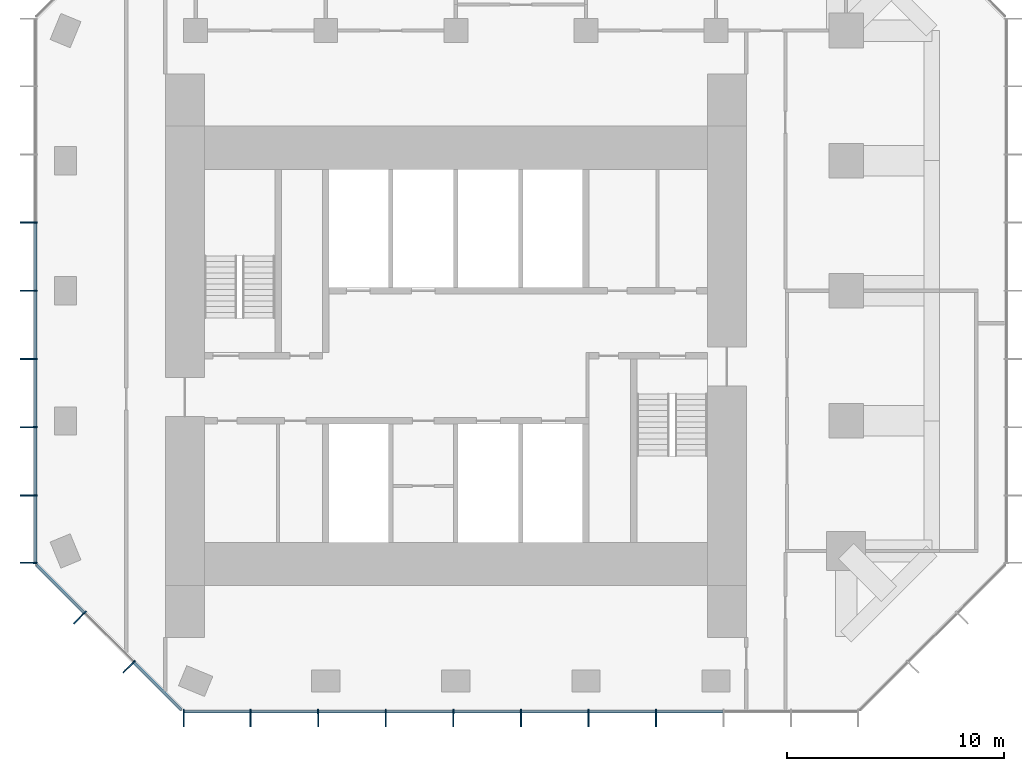
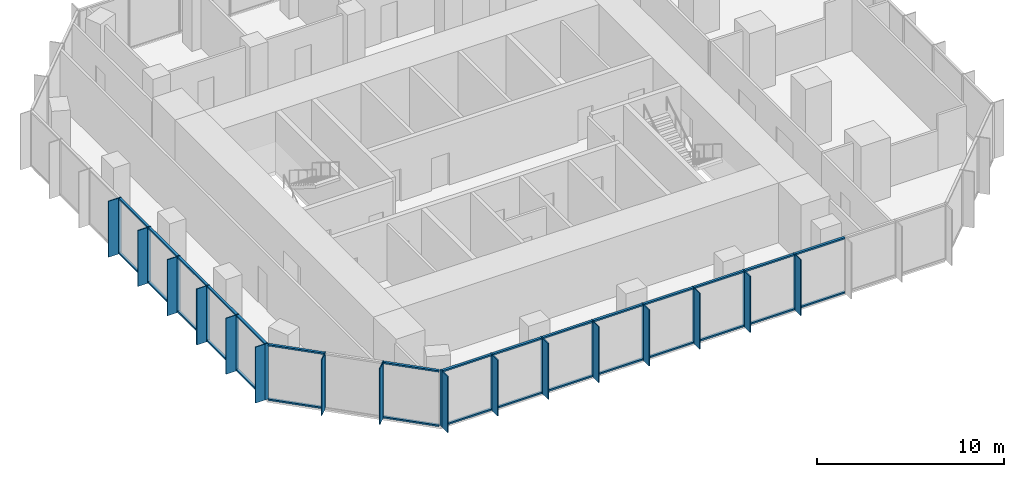
# One storey, part 2 of 10: 62 members, 3 elements without a shape of their own.
"""IFC4 building model written with IfcOpenShell, lengths in metres."""

from ifc_helpers import new_model, si_unit, direction, frame, origin, origin_2d, place, context, subcontext, project, spatial, rectangle, extrude, material, layer, layer_set, material_profile, profile_set, type_object, element, aggregate, save


model = new_model("IFC4")

# Units and contexts
model_context = context("Model", 3, precision=1e-05, world=origin(), true_north=direction((0.0, 1.0)))
body_context = subcontext(model_context, "Body", "Model", "MODEL_VIEW")
ifc_project = project(units=[si_unit("LENGTHUNIT", "METRE"), si_unit("AREAUNIT", "SQUARE_METRE"), si_unit("VOLUMEUNIT", "CUBIC_METRE"), si_unit("PLANEANGLEUNIT", "RADIAN"), si_unit("MASSUNIT", "GRAM", prefix="KILO")], contexts=[model_context])

# Site, building, storey
site_placement = place(None, origin())
site = spatial("IfcSite", under=ifc_project, at=site_placement, CompositionType="ELEMENT")
building_placement = place(site_placement, origin())
building = spatial("IfcBuilding", under=site, at=building_placement, Name="Highveld Stack Headquarters", CompositionType="ELEMENT")
storey_placement = place(building_placement, frame((0.0, 0.0, 245.0)))
storey = spatial("IfcBuildingStorey", under=building, at=storey_placement, Name="L60", CompositionType="ELEMENT", Elevation=245.0)

# Curtain wall, members
ifc_material_1 = material(Name="Aluminium bronze anodised", Category="aluminium")
ifc_layer = layer(ifc_material_1, 0.199951171875)
ifc_layer_set = layer_set([ifc_layer], Name="Aluminium bronze anodised")
curtain_wall_type = type_object("IfcCurtainWallType", Name="CW6 SKY LOBBY UNITISED CURTAIN WALL", PredefinedType="NOTDEFINED", material=ifc_layer_set)
curtain_wall_1_placement = place(storey_placement, origin())
curtain_wall_1 = element("IfcCurtainWall", 1, at=curtain_wall_1_placement, inside=storey, type_object=curtain_wall_type, Name="Curtain wall CW6 L60 S", PredefinedType="NOTDEFINED")
ifc_material_2 = material(Name="Aluminium bronze anodised", Category="aluminium")
ifc_material_profile_1 = material_profile(ifc_material_2, rectangle(XDim=0.60009765625, YDim=0.06005859375, at=origin_2d()), Name="FIN 600x60")
ifc_profile_set_1 = profile_set([ifc_material_profile_1], Name="Aluminium bronze anodised")
member_type_1 = type_object("IfcMemberType", Name="CW6 BRONZE FIN 600x60", PredefinedType="USERDEFINED", material=ifc_profile_set_1)
member_1_placement = place(storey_placement, frame((-6.54736328125, -13.800048828125, 0.0), z_axis=(0.0, 0.0, 1.0), x_axis=(0.0, 1.0, 0.0)))
member_1 = element("IfcMember", 2, at=member_1_placement, type_object=member_type_1, Name="CW6 fin L60 1", ObjectType="FIN", PredefinedType="USERDEFINED", context=body_context, shape_type="SweptSolid", body=[
    extrude(rectangle(XDim=0.60009765625, YDim=0.06005859375, at=origin_2d()), origin(), (0.0, 0.0, 1.0), 3.64990234375),
])
member_2_placement = place(storey_placement, frame((-3.4638671875, -13.800048828125, 0.0), z_axis=(0.0, 0.0, 1.0), x_axis=(0.0, 1.0, 0.0)))
member_2 = element("IfcMember", 3, at=member_2_placement, type_object=member_type_1, Name="CW6 fin L60 2", ObjectType="FIN", PredefinedType="USERDEFINED", context=body_context, shape_type="SweptSolid", body=[
    extrude(rectangle(XDim=0.60009765625, YDim=0.06005859375, at=origin_2d()), origin(), (0.0, 0.0, 1.0), 3.64990234375),
])
member_3_placement = place(storey_placement, frame((-0.347900390625, -13.800048828125, 0.0), z_axis=(0.0, 0.0, 1.0), x_axis=(0.0, 1.0, 0.0)))
member_3 = element("IfcMember", 4, at=member_3_placement, type_object=member_type_1, Name="CW6 fin L60 3", ObjectType="FIN", PredefinedType="USERDEFINED", context=body_context, shape_type="SweptSolid", body=[
    extrude(rectangle(XDim=0.60009765625, YDim=0.06005859375, at=origin_2d()), origin(), (0.0, 0.0, 1.0), 3.64990234375),
])
member_4_placement = place(storey_placement, frame((2.76806640625, -13.800048828125, 0.0), z_axis=(0.0, 0.0, 1.0), x_axis=(0.0, 1.0, 0.0)))
member_4 = element("IfcMember", 5, at=member_4_placement, type_object=member_type_1, Name="CW6 fin L60 4", ObjectType="FIN", PredefinedType="USERDEFINED", context=body_context, shape_type="SweptSolid", body=[
    extrude(rectangle(XDim=0.60009765625, YDim=0.06005859375, at=origin_2d()), origin(), (0.0, 0.0, 1.0), 3.64990234375),
])
member_5_placement = place(storey_placement, frame((5.884033203125, -13.800048828125, 0.0), z_axis=(0.0, 0.0, 1.0), x_axis=(0.0, 1.0, 0.0)))
member_5 = element("IfcMember", 6, at=member_5_placement, type_object=member_type_1, Name="CW6 fin L60 5", ObjectType="FIN", PredefinedType="USERDEFINED", context=body_context, shape_type="SweptSolid", body=[
    extrude(rectangle(XDim=0.60009765625, YDim=0.06005859375, at=origin_2d()), origin(), (0.0, 0.0, 1.0), 3.64990234375),
])
member_6_placement = place(storey_placement, frame((9.0, -13.800048828125, 0.0), z_axis=(0.0, 0.0, 1.0), x_axis=(0.0, 1.0, 0.0)))
member_6 = element("IfcMember", 7, at=member_6_placement, type_object=member_type_1, Name="CW6 fin L60 6", ObjectType="FIN", PredefinedType="USERDEFINED", context=body_context, shape_type="SweptSolid", body=[
    extrude(rectangle(XDim=0.60009765625, YDim=0.06005859375, at=origin_2d()), origin(), (0.0, 0.0, 1.0), 3.64990234375),
])
member_7_placement = place(storey_placement, frame((12.115966796875, -13.800048828125, 0.0), z_axis=(0.0, 0.0, 1.0), x_axis=(0.0, 1.0, 0.0)))
member_7 = element("IfcMember", 8, at=member_7_placement, type_object=member_type_1, Name="CW6 fin L60 7", ObjectType="FIN", PredefinedType="USERDEFINED", context=body_context, shape_type="SweptSolid", body=[
    extrude(rectangle(XDim=0.60009765625, YDim=0.06005859375, at=origin_2d()), origin(), (0.0, 0.0, 1.0), 3.64990234375),
])
member_8_placement = place(storey_placement, frame((15.23193359375, -13.800048828125, 0.0), z_axis=(0.0, 0.0, 1.0), x_axis=(0.0, 1.0, 0.0)))
member_8 = element("IfcMember", 9, at=member_8_placement, type_object=member_type_1, Name="CW6 fin L60 8", ObjectType="FIN", PredefinedType="USERDEFINED", context=body_context, shape_type="SweptSolid", body=[
    extrude(rectangle(XDim=0.60009765625, YDim=0.06005859375, at=origin_2d()), origin(), (0.0, 0.0, 1.0), 3.64990234375),
])

curtain_wall_2_placement = place(storey_placement, origin())
curtain_wall_2 = element("IfcCurtainWall", 10, at=curtain_wall_2_placement, inside=storey, type_object=curtain_wall_type, Name="Curtain wall CW6 L60 W", PredefinedType="NOTDEFINED")
member_9_placement = place(storey_placement, frame((-13.800048828125, 9.14501953125, 0.0), z_axis=(0.0, 0.0, 1.0), x_axis=(1.0, 0.0, 0.0)))
member_9 = element("IfcMember", 11, at=member_9_placement, type_object=member_type_1, Name="CW6 fin L60 4", ObjectType="FIN", PredefinedType="USERDEFINED", context=body_context, shape_type="SweptSolid", body=[
    extrude(rectangle(XDim=0.60009765625, YDim=0.06005859375, at=origin_2d()), origin(), (0.0, 0.0, 1.0), 3.64990234375),
])
member_10_placement = place(storey_placement, frame((-13.800048828125, 6.0, 0.0), z_axis=(0.0, 0.0, 1.0), x_axis=(1.0, 0.0, 0.0)))
member_10 = element("IfcMember", 12, at=member_10_placement, type_object=member_type_1, Name="CW6 fin L60 5", ObjectType="FIN", PredefinedType="USERDEFINED", context=body_context, shape_type="SweptSolid", body=[
    extrude(rectangle(XDim=0.60009765625, YDim=0.06005859375, at=origin_2d()), origin(), (0.0, 0.0, 1.0), 3.64990234375),
])
member_11_placement = place(storey_placement, frame((-13.800048828125, 2.85498046875, 0.0), z_axis=(0.0, 0.0, 1.0), x_axis=(1.0, 0.0, 0.0)))
member_11 = element("IfcMember", 13, at=member_11_placement, type_object=member_type_1, Name="CW6 fin L60 6", ObjectType="FIN", PredefinedType="USERDEFINED", context=body_context, shape_type="SweptSolid", body=[
    extrude(rectangle(XDim=0.60009765625, YDim=0.06005859375, at=origin_2d()), origin(), (0.0, 0.0, 1.0), 3.64990234375),
])
member_12_placement = place(storey_placement, frame((-13.800048828125, -0.2900390625, 0.0), z_axis=(0.0, 0.0, 1.0), x_axis=(1.0, 0.0, 0.0)))
member_12 = element("IfcMember", 14, at=member_12_placement, type_object=member_type_1, Name="CW6 fin L60 7", ObjectType="FIN", PredefinedType="USERDEFINED", context=body_context, shape_type="SweptSolid", body=[
    extrude(rectangle(XDim=0.60009765625, YDim=0.06005859375, at=origin_2d()), origin(), (0.0, 0.0, 1.0), 3.64990234375),
])
member_13_placement = place(storey_placement, frame((-13.800048828125, -3.434814453125, 0.0), z_axis=(0.0, 0.0, 1.0), x_axis=(1.0, 0.0, 0.0)))
member_13 = element("IfcMember", 15, at=member_13_placement, type_object=member_type_1, Name="CW6 fin L60 8", ObjectType="FIN", PredefinedType="USERDEFINED", context=body_context, shape_type="SweptSolid", body=[
    extrude(rectangle(XDim=0.60009765625, YDim=0.06005859375, at=origin_2d()), origin(), (0.0, 0.0, 1.0), 3.64990234375),
])
member_14_placement = place(storey_placement, frame((-13.800048828125, -6.54736328125, 0.0), z_axis=(0.0, 0.0, 1.0), x_axis=(1.0, 0.0, 0.0)))
member_14 = element("IfcMember", 16, at=member_14_placement, type_object=member_type_1, Name="CW6 fin L60 9", ObjectType="FIN", PredefinedType="USERDEFINED", context=body_context, shape_type="SweptSolid", body=[
    extrude(rectangle(XDim=0.60009765625, YDim=0.06005859375, at=origin_2d()), origin(), (0.0, 0.0, 1.0), 3.64990234375),
])

curtain_wall_3_placement = place(storey_placement, origin())
curtain_wall_3 = element("IfcCurtainWall", 17, at=curtain_wall_3_placement, inside=storey, type_object=curtain_wall_type, Name="Curtain wall CW6 L60 SW", PredefinedType="NOTDEFINED")
member_15_placement = place(storey_placement, frame((-11.409423828125, -9.135986328125, 0.0), z_axis=(0.0, 0.0, 1.0), x_axis=(0.707106781187, 0.707106781187, 0.0)))
member_15 = element("IfcMember", 18, at=member_15_placement, type_object=member_type_1, Name="CW6 fin L60 1", ObjectType="FIN", PredefinedType="USERDEFINED", context=body_context, shape_type="SweptSolid", body=[
    extrude(rectangle(XDim=0.60009765625, YDim=0.06005859375, at=origin_2d()), origin(), (0.0, 0.0, 1.0), 3.64990234375),
])
member_16_placement = place(storey_placement, frame((-9.135986328125, -11.409423828125, 0.0), z_axis=(0.0, 0.0, 1.0), x_axis=(0.707106781187, 0.707106781187, 0.0)))
member_16 = element("IfcMember", 19, at=member_16_placement, type_object=member_type_1, Name="CW6 fin L60 2", ObjectType="FIN", PredefinedType="USERDEFINED", context=body_context, shape_type="SweptSolid", body=[
    extrude(rectangle(XDim=0.60009765625, YDim=0.06005859375, at=origin_2d()), origin(), (0.0, 0.0, 1.0), 3.64990234375),
])

# Member
ifc_material_3 = material(Name="Aluminium bronze anodised", Category="aluminium")
ifc_material_profile_2 = material_profile(ifc_material_3, rectangle(XDim=0.199951171875, YDim=0.06494140625, at=origin_2d()), Name="CW6 MULLION 65x200")
ifc_profile_set_2 = profile_set([ifc_material_profile_2], Name="Aluminium bronze anodised")
member_type_2 = type_object("IfcMemberType", Name="CW6 MULLION 65x200", PredefinedType="MULLION", material=ifc_profile_set_2)
member_17_placement = place(storey_placement, frame((-6.54736328125, -13.39990234375, 0.0), z_axis=(0.0, 0.0, 1.0), x_axis=(0.0, 1.0, 0.0)))
member_17 = element("IfcMember", 20, at=member_17_placement, type_object=member_type_2, Name="CW6 mullion L60 1", PredefinedType="MULLION", context=body_context, shape_type="SweptSolid", body=[
    extrude(rectangle(XDim=0.199951171875, YDim=0.06494140625, at=origin_2d()), origin(), (0.0, 0.0, 1.0), 3.64990234375),
])

member_18_placement = place(storey_placement, frame((-3.4638671875, -13.39990234375, 0.0), z_axis=(0.0, 0.0, 1.0), x_axis=(0.0, 1.0, 0.0)))
member_18 = element("IfcMember", 21, at=member_18_placement, type_object=member_type_2, Name="CW6 mullion L60 2", PredefinedType="MULLION", context=body_context, shape_type="SweptSolid", body=[
    extrude(rectangle(XDim=0.199951171875, YDim=0.06494140625, at=origin_2d()), origin(), (0.0, 0.0, 1.0), 3.64990234375),
])

member_19_placement = place(storey_placement, frame((-0.347900390625, -13.39990234375, 0.0), z_axis=(0.0, 0.0, 1.0), x_axis=(0.0, 1.0, 0.0)))
member_19 = element("IfcMember", 22, at=member_19_placement, type_object=member_type_2, Name="CW6 mullion L60 3", PredefinedType="MULLION", context=body_context, shape_type="SweptSolid", body=[
    extrude(rectangle(XDim=0.199951171875, YDim=0.06494140625, at=origin_2d()), origin(), (0.0, 0.0, 1.0), 3.64990234375),
])

member_20_placement = place(storey_placement, frame((2.76806640625, -13.39990234375, 0.0), z_axis=(0.0, 0.0, 1.0), x_axis=(0.0, 1.0, 0.0)))
member_20 = element("IfcMember", 23, at=member_20_placement, type_object=member_type_2, Name="CW6 mullion L60 4", PredefinedType="MULLION", context=body_context, shape_type="SweptSolid", body=[
    extrude(rectangle(XDim=0.199951171875, YDim=0.06494140625, at=origin_2d()), origin(), (0.0, 0.0, 1.0), 3.64990234375),
])

member_21_placement = place(storey_placement, frame((5.884033203125, -13.39990234375, 0.0), z_axis=(0.0, 0.0, 1.0), x_axis=(0.0, 1.0, 0.0)))
member_21 = element("IfcMember", 24, at=member_21_placement, type_object=member_type_2, Name="CW6 mullion L60 5", PredefinedType="MULLION", context=body_context, shape_type="SweptSolid", body=[
    extrude(rectangle(XDim=0.199951171875, YDim=0.06494140625, at=origin_2d()), origin(), (0.0, 0.0, 1.0), 3.64990234375),
])

member_22_placement = place(storey_placement, frame((9.0, -13.39990234375, 0.0), z_axis=(0.0, 0.0, 1.0), x_axis=(0.0, 1.0, 0.0)))
member_22 = element("IfcMember", 25, at=member_22_placement, type_object=member_type_2, Name="CW6 mullion L60 6", PredefinedType="MULLION", context=body_context, shape_type="SweptSolid", body=[
    extrude(rectangle(XDim=0.199951171875, YDim=0.06494140625, at=origin_2d()), origin(), (0.0, 0.0, 1.0), 3.64990234375),
])

member_23_placement = place(storey_placement, frame((12.115966796875, -13.39990234375, 0.0), z_axis=(0.0, 0.0, 1.0), x_axis=(0.0, 1.0, 0.0)))
member_23 = element("IfcMember", 26, at=member_23_placement, type_object=member_type_2, Name="CW6 mullion L60 7", PredefinedType="MULLION", context=body_context, shape_type="SweptSolid", body=[
    extrude(rectangle(XDim=0.199951171875, YDim=0.06494140625, at=origin_2d()), origin(), (0.0, 0.0, 1.0), 3.64990234375),
])

member_24_placement = place(storey_placement, frame((15.23193359375, -13.39990234375, 0.0), z_axis=(0.0, 0.0, 1.0), x_axis=(0.0, 1.0, 0.0)))
member_24 = element("IfcMember", 27, at=member_24_placement, type_object=member_type_2, Name="CW6 mullion L60 8", PredefinedType="MULLION", context=body_context, shape_type="SweptSolid", body=[
    extrude(rectangle(XDim=0.199951171875, YDim=0.06494140625, at=origin_2d()), origin(), (0.0, 0.0, 1.0), 3.64990234375),
])

member_25_placement = place(storey_placement, frame((-13.39990234375, 9.14501953125, 0.0), z_axis=(0.0, 0.0, 1.0), x_axis=(1.0, 0.0, 0.0)))
member_25 = element("IfcMember", 28, at=member_25_placement, type_object=member_type_2, Name="CW6 mullion L60 4", PredefinedType="MULLION", context=body_context, shape_type="SweptSolid", body=[
    extrude(rectangle(XDim=0.199951171875, YDim=0.06494140625, at=origin_2d()), origin(), (0.0, 0.0, 1.0), 3.64990234375),
])

member_26_placement = place(storey_placement, frame((-13.39990234375, 6.0, 0.0), z_axis=(0.0, 0.0, 1.0), x_axis=(1.0, 0.0, 0.0)))
member_26 = element("IfcMember", 29, at=member_26_placement, type_object=member_type_2, Name="CW6 mullion L60 5", PredefinedType="MULLION", context=body_context, shape_type="SweptSolid", body=[
    extrude(rectangle(XDim=0.199951171875, YDim=0.06494140625, at=origin_2d()), origin(), (0.0, 0.0, 1.0), 3.64990234375),
])

member_27_placement = place(storey_placement, frame((-13.39990234375, 2.85498046875, 0.0), z_axis=(0.0, 0.0, 1.0), x_axis=(1.0, 0.0, 0.0)))
member_27 = element("IfcMember", 30, at=member_27_placement, type_object=member_type_2, Name="CW6 mullion L60 6", PredefinedType="MULLION", context=body_context, shape_type="SweptSolid", body=[
    extrude(rectangle(XDim=0.199951171875, YDim=0.06494140625, at=origin_2d()), origin(), (0.0, 0.0, 1.0), 3.64990234375),
])

member_28_placement = place(storey_placement, frame((-13.39990234375, -0.2900390625, 0.0), z_axis=(0.0, 0.0, 1.0), x_axis=(1.0, 0.0, 0.0)))
member_28 = element("IfcMember", 31, at=member_28_placement, type_object=member_type_2, Name="CW6 mullion L60 7", PredefinedType="MULLION", context=body_context, shape_type="SweptSolid", body=[
    extrude(rectangle(XDim=0.199951171875, YDim=0.06494140625, at=origin_2d()), origin(), (0.0, 0.0, 1.0), 3.64990234375),
])

member_29_placement = place(storey_placement, frame((-13.39990234375, -3.434814453125, 0.0), z_axis=(0.0, 0.0, 1.0), x_axis=(1.0, 0.0, 0.0)))
member_29 = element("IfcMember", 32, at=member_29_placement, type_object=member_type_2, Name="CW6 mullion L60 8", PredefinedType="MULLION", context=body_context, shape_type="SweptSolid", body=[
    extrude(rectangle(XDim=0.199951171875, YDim=0.06494140625, at=origin_2d()), origin(), (0.0, 0.0, 1.0), 3.64990234375),
])

member_30_placement = place(storey_placement, frame((-13.39990234375, -6.54736328125, 0.0), z_axis=(0.0, 0.0, 1.0), x_axis=(1.0, 0.0, 0.0)))
member_30 = element("IfcMember", 33, at=member_30_placement, type_object=member_type_2, Name="CW6 mullion L60 9", PredefinedType="MULLION", context=body_context, shape_type="SweptSolid", body=[
    extrude(rectangle(XDim=0.199951171875, YDim=0.06494140625, at=origin_2d()), origin(), (0.0, 0.0, 1.0), 3.64990234375),
])

member_31_placement = place(storey_placement, frame((-11.126708984375, -8.853271484375, 0.0), z_axis=(0.0, 0.0, 1.0), x_axis=(0.707106781187, 0.707106781187, 0.0)))
member_31 = element("IfcMember", 34, at=member_31_placement, type_object=member_type_2, Name="CW6 mullion L60 1", PredefinedType="MULLION", context=body_context, shape_type="SweptSolid", body=[
    extrude(rectangle(XDim=0.199951171875, YDim=0.06494140625, at=origin_2d()), origin(), (0.0, 0.0, 1.0), 3.64990234375),
])

member_32_placement = place(storey_placement, frame((-8.853271484375, -11.126708984375, 0.0), z_axis=(0.0, 0.0, 1.0), x_axis=(0.707106781187, 0.707106781187, 0.0)))
member_32 = element("IfcMember", 35, at=member_32_placement, type_object=member_type_2, Name="CW6 mullion L60 2", PredefinedType="MULLION", context=body_context, shape_type="SweptSolid", body=[
    extrude(rectangle(XDim=0.199951171875, YDim=0.06494140625, at=origin_2d()), origin(), (0.0, 0.0, 1.0), 3.64990234375),
])

ifc_material_4 = material(Name="Aluminium bronze anodised", Category="aluminium")
ifc_material_profile_3 = material_profile(ifc_material_4, rectangle(XDim=0.14990234375, YDim=0.10009765625, at=origin_2d()), Name="CW6 TRANSOM 150x100")
ifc_profile_set_3 = profile_set([ifc_material_profile_3], Name="Aluminium bronze anodised")
member_type_3 = type_object("IfcMemberType", Name="CW6 STACK TRANSOM 150x100", PredefinedType="USERDEFINED", material=ifc_profile_set_3)
member_33_placement = place(storey_placement, frame((-6.514892578125, -13.39990234375, 0.050048828125), z_axis=(1.0, 0.0, 0.0), x_axis=(0.0, 1.0, 0.0)))
member_33 = element("IfcMember", 36, at=member_33_placement, type_object=member_type_3, Name="CW6 transom L60 1.1", ObjectType="TRANSOM", PredefinedType="USERDEFINED", context=body_context, shape_type="SweptSolid", body=[
    extrude(rectangle(XDim=0.14990234375, YDim=0.10009765625, at=origin_2d()), origin(), (0.0, 0.0, 1.0), 3.0185546875),
])

member_34_placement = place(storey_placement, frame((-6.514892578125, -13.39990234375, 3.60009765625), z_axis=(1.0, 0.0, 0.0), x_axis=(0.0, 1.0, 0.0)))
member_34 = element("IfcMember", 37, at=member_34_placement, type_object=member_type_3, Name="CW6 transom L60 1.2", ObjectType="TRANSOM", PredefinedType="USERDEFINED", context=body_context, shape_type="SweptSolid", body=[
    extrude(rectangle(XDim=0.14990234375, YDim=0.10009765625, at=origin_2d()), origin(), (0.0, 0.0, 1.0), 3.0185546875),
])

member_35_placement = place(storey_placement, frame((-3.431396484375, -13.39990234375, 0.050048828125), z_axis=(1.0, 0.0, 0.0), x_axis=(0.0, 1.0, 0.0)))
member_35 = element("IfcMember", 38, at=member_35_placement, type_object=member_type_3, Name="CW6 transom L60 2.1", ObjectType="TRANSOM", PredefinedType="USERDEFINED", context=body_context, shape_type="SweptSolid", body=[
    extrude(rectangle(XDim=0.14990234375, YDim=0.10009765625, at=origin_2d()), origin(), (0.0, 0.0, 1.0), 3.051025390625),
])

member_36_placement = place(storey_placement, frame((-3.431396484375, -13.39990234375, 3.60009765625), z_axis=(1.0, 0.0, 0.0), x_axis=(0.0, 1.0, 0.0)))
member_36 = element("IfcMember", 39, at=member_36_placement, type_object=member_type_3, Name="CW6 transom L60 2.2", ObjectType="TRANSOM", PredefinedType="USERDEFINED", context=body_context, shape_type="SweptSolid", body=[
    extrude(rectangle(XDim=0.14990234375, YDim=0.10009765625, at=origin_2d()), origin(), (0.0, 0.0, 1.0), 3.051025390625),
])

member_37_placement = place(storey_placement, frame((-0.3154296875, -13.39990234375, 0.050048828125), z_axis=(1.0, 0.0, 0.0), x_axis=(0.0, 1.0, 0.0)))
member_37 = element("IfcMember", 40, at=member_37_placement, type_object=member_type_3, Name="CW6 transom L60 3.1", ObjectType="TRANSOM", PredefinedType="USERDEFINED", context=body_context, shape_type="SweptSolid", body=[
    extrude(rectangle(XDim=0.14990234375, YDim=0.10009765625, at=origin_2d()), origin(), (0.0, 0.0, 1.0), 3.051025390625),
])

member_38_placement = place(storey_placement, frame((-0.3154296875, -13.39990234375, 3.60009765625), z_axis=(1.0, 0.0, 0.0), x_axis=(0.0, 1.0, 0.0)))
member_38 = element("IfcMember", 41, at=member_38_placement, type_object=member_type_3, Name="CW6 transom L60 3.2", ObjectType="TRANSOM", PredefinedType="USERDEFINED", context=body_context, shape_type="SweptSolid", body=[
    extrude(rectangle(XDim=0.14990234375, YDim=0.10009765625, at=origin_2d()), origin(), (0.0, 0.0, 1.0), 3.051025390625),
])

member_39_placement = place(storey_placement, frame((2.800537109375, -13.39990234375, 0.050048828125), z_axis=(1.0, 0.0, 0.0), x_axis=(0.0, 1.0, 0.0)))
member_39 = element("IfcMember", 42, at=member_39_placement, type_object=member_type_3, Name="CW6 transom L60 4.1", ObjectType="TRANSOM", PredefinedType="USERDEFINED", context=body_context, shape_type="SweptSolid", body=[
    extrude(rectangle(XDim=0.14990234375, YDim=0.10009765625, at=origin_2d()), origin(), (0.0, 0.0, 1.0), 3.051025390625),
])

member_40_placement = place(storey_placement, frame((2.800537109375, -13.39990234375, 3.60009765625), z_axis=(1.0, 0.0, 0.0), x_axis=(0.0, 1.0, 0.0)))
member_40 = element("IfcMember", 43, at=member_40_placement, type_object=member_type_3, Name="CW6 transom L60 4.2", ObjectType="TRANSOM", PredefinedType="USERDEFINED", context=body_context, shape_type="SweptSolid", body=[
    extrude(rectangle(XDim=0.14990234375, YDim=0.10009765625, at=origin_2d()), origin(), (0.0, 0.0, 1.0), 3.051025390625),
])

member_41_placement = place(storey_placement, frame((5.91650390625, -13.39990234375, 0.050048828125), z_axis=(1.0, 0.0, 0.0), x_axis=(0.0, 1.0, 0.0)))
member_41 = element("IfcMember", 44, at=member_41_placement, type_object=member_type_3, Name="CW6 transom L60 5.1", ObjectType="TRANSOM", PredefinedType="USERDEFINED", context=body_context, shape_type="SweptSolid", body=[
    extrude(rectangle(XDim=0.14990234375, YDim=0.10009765625, at=origin_2d()), origin(), (0.0, 0.0, 1.0), 3.051025390625),
])

member_42_placement = place(storey_placement, frame((5.91650390625, -13.39990234375, 3.60009765625), z_axis=(1.0, 0.0, 0.0), x_axis=(0.0, 1.0, 0.0)))
member_42 = element("IfcMember", 45, at=member_42_placement, type_object=member_type_3, Name="CW6 transom L60 5.2", ObjectType="TRANSOM", PredefinedType="USERDEFINED", context=body_context, shape_type="SweptSolid", body=[
    extrude(rectangle(XDim=0.14990234375, YDim=0.10009765625, at=origin_2d()), origin(), (0.0, 0.0, 1.0), 3.051025390625),
])

member_43_placement = place(storey_placement, frame((9.032470703125, -13.39990234375, 0.050048828125), z_axis=(1.0, 0.0, 0.0), x_axis=(0.0, 1.0, 0.0)))
member_43 = element("IfcMember", 46, at=member_43_placement, type_object=member_type_3, Name="CW6 transom L60 6.1", ObjectType="TRANSOM", PredefinedType="USERDEFINED", context=body_context, shape_type="SweptSolid", body=[
    extrude(rectangle(XDim=0.14990234375, YDim=0.10009765625, at=origin_2d()), origin(), (0.0, 0.0, 1.0), 3.051025390625),
])

member_44_placement = place(storey_placement, frame((9.032470703125, -13.39990234375, 3.60009765625), z_axis=(1.0, 0.0, 0.0), x_axis=(0.0, 1.0, 0.0)))
member_44 = element("IfcMember", 47, at=member_44_placement, type_object=member_type_3, Name="CW6 transom L60 6.2", ObjectType="TRANSOM", PredefinedType="USERDEFINED", context=body_context, shape_type="SweptSolid", body=[
    extrude(rectangle(XDim=0.14990234375, YDim=0.10009765625, at=origin_2d()), origin(), (0.0, 0.0, 1.0), 3.051025390625),
])

member_45_placement = place(storey_placement, frame((12.1484375, -13.39990234375, 0.050048828125), z_axis=(1.0, 0.0, 0.0), x_axis=(0.0, 1.0, 0.0)))
member_45 = element("IfcMember", 48, at=member_45_placement, type_object=member_type_3, Name="CW6 transom L60 7.1", ObjectType="TRANSOM", PredefinedType="USERDEFINED", context=body_context, shape_type="SweptSolid", body=[
    extrude(rectangle(XDim=0.14990234375, YDim=0.10009765625, at=origin_2d()), origin(), (0.0, 0.0, 1.0), 3.051025390625),
])

member_46_placement = place(storey_placement, frame((12.1484375, -13.39990234375, 3.60009765625), z_axis=(1.0, 0.0, 0.0), x_axis=(0.0, 1.0, 0.0)))
member_46 = element("IfcMember", 49, at=member_46_placement, type_object=member_type_3, Name="CW6 transom L60 7.2", ObjectType="TRANSOM", PredefinedType="USERDEFINED", context=body_context, shape_type="SweptSolid", body=[
    extrude(rectangle(XDim=0.14990234375, YDim=0.10009765625, at=origin_2d()), origin(), (0.0, 0.0, 1.0), 3.051025390625),
])

member_47_placement = place(storey_placement, frame((15.264404296875, -13.39990234375, 0.050048828125), z_axis=(1.0, 0.0, 0.0), x_axis=(0.0, 1.0, 0.0)))
member_47 = element("IfcMember", 50, at=member_47_placement, type_object=member_type_3, Name="CW6 transom L60 8.1", ObjectType="TRANSOM", PredefinedType="USERDEFINED", context=body_context, shape_type="SweptSolid", body=[
    extrude(rectangle(XDim=0.14990234375, YDim=0.10009765625, at=origin_2d()), origin(), (0.0, 0.0, 1.0), 3.051025390625),
])

member_48_placement = place(storey_placement, frame((15.264404296875, -13.39990234375, 3.60009765625), z_axis=(1.0, 0.0, 0.0), x_axis=(0.0, 1.0, 0.0)))
member_48 = element("IfcMember", 51, at=member_48_placement, type_object=member_type_3, Name="CW6 transom L60 8.2", ObjectType="TRANSOM", PredefinedType="USERDEFINED", context=body_context, shape_type="SweptSolid", body=[
    extrude(rectangle(XDim=0.14990234375, YDim=0.10009765625, at=origin_2d()), origin(), (0.0, 0.0, 1.0), 3.051025390625),
])

aggregate(curtain_wall_1, [member_17, member_1, member_18, member_2, member_19, member_3, member_20, member_4, member_21, member_5, member_22, member_6, member_23, member_7, member_24, member_8, member_33, member_34, member_35, member_36, member_37, member_38, member_39, member_40, member_41, member_42, member_43, member_44, member_45, member_46, member_47, member_48])

member_49_placement = place(storey_placement, frame((-13.39990234375, 9.112548828125, 0.050048828125), z_axis=(0.0, -1.0, 0.0), x_axis=(1.0, 0.0, 0.0)))
member_49 = element("IfcMember", 52, at=member_49_placement, type_object=member_type_3, Name="CW6 transom L60 4.1", ObjectType="TRANSOM", PredefinedType="USERDEFINED", context=body_context, shape_type="SweptSolid", body=[
    extrude(rectangle(XDim=0.14990234375, YDim=0.10009765625, at=origin_2d()), origin(), (0.0, 0.0, 1.0), 3.080078125),
])

member_50_placement = place(storey_placement, frame((-13.39990234375, 9.112548828125, 3.60009765625), z_axis=(0.0, -1.0, 0.0), x_axis=(1.0, 0.0, 0.0)))
member_50 = element("IfcMember", 53, at=member_50_placement, type_object=member_type_3, Name="CW6 transom L60 4.2", ObjectType="TRANSOM", PredefinedType="USERDEFINED", context=body_context, shape_type="SweptSolid", body=[
    extrude(rectangle(XDim=0.14990234375, YDim=0.10009765625, at=origin_2d()), origin(), (0.0, 0.0, 1.0), 3.080078125),
])

member_51_placement = place(storey_placement, frame((-13.39990234375, 5.967529296875, 0.050048828125), z_axis=(0.0, -1.0, 0.0), x_axis=(1.0, 0.0, 0.0)))
member_51 = element("IfcMember", 54, at=member_51_placement, type_object=member_type_3, Name="CW6 transom L60 5.1", ObjectType="TRANSOM", PredefinedType="USERDEFINED", context=body_context, shape_type="SweptSolid", body=[
    extrude(rectangle(XDim=0.14990234375, YDim=0.10009765625, at=origin_2d()), origin(), (0.0, 0.0, 1.0), 3.080078125),
])

member_52_placement = place(storey_placement, frame((-13.39990234375, 5.967529296875, 3.60009765625), z_axis=(0.0, -1.0, 0.0), x_axis=(1.0, 0.0, 0.0)))
member_52 = element("IfcMember", 55, at=member_52_placement, type_object=member_type_3, Name="CW6 transom L60 5.2", ObjectType="TRANSOM", PredefinedType="USERDEFINED", context=body_context, shape_type="SweptSolid", body=[
    extrude(rectangle(XDim=0.14990234375, YDim=0.10009765625, at=origin_2d()), origin(), (0.0, 0.0, 1.0), 3.080078125),
])

member_53_placement = place(storey_placement, frame((-13.39990234375, 2.822509765625, 0.050048828125), z_axis=(0.0, -1.0, 0.0), x_axis=(1.0, 0.0, 0.0)))
member_53 = element("IfcMember", 56, at=member_53_placement, type_object=member_type_3, Name="CW6 transom L60 6.1", ObjectType="TRANSOM", PredefinedType="USERDEFINED", context=body_context, shape_type="SweptSolid", body=[
    extrude(rectangle(XDim=0.14990234375, YDim=0.10009765625, at=origin_2d()), origin(), (0.0, 0.0, 1.0), 3.080078125),
])

member_54_placement = place(storey_placement, frame((-13.39990234375, 2.822509765625, 3.60009765625), z_axis=(0.0, -1.0, 0.0), x_axis=(1.0, 0.0, 0.0)))
member_54 = element("IfcMember", 57, at=member_54_placement, type_object=member_type_3, Name="CW6 transom L60 6.2", ObjectType="TRANSOM", PredefinedType="USERDEFINED", context=body_context, shape_type="SweptSolid", body=[
    extrude(rectangle(XDim=0.14990234375, YDim=0.10009765625, at=origin_2d()), origin(), (0.0, 0.0, 1.0), 3.080078125),
])

member_55_placement = place(storey_placement, frame((-13.39990234375, -0.322509765625, 0.050048828125), z_axis=(0.0, -1.0, 0.0), x_axis=(1.0, 0.0, 0.0)))
member_55 = element("IfcMember", 58, at=member_55_placement, type_object=member_type_3, Name="CW6 transom L60 7.1", ObjectType="TRANSOM", PredefinedType="USERDEFINED", context=body_context, shape_type="SweptSolid", body=[
    extrude(rectangle(XDim=0.14990234375, YDim=0.10009765625, at=origin_2d()), origin(), (0.0, 0.0, 1.0), 3.079833984375),
])

member_56_placement = place(storey_placement, frame((-13.39990234375, -0.322509765625, 3.60009765625), z_axis=(0.0, -1.0, 0.0), x_axis=(1.0, 0.0, 0.0)))
member_56 = element("IfcMember", 59, at=member_56_placement, type_object=member_type_3, Name="CW6 transom L60 7.2", ObjectType="TRANSOM", PredefinedType="USERDEFINED", context=body_context, shape_type="SweptSolid", body=[
    extrude(rectangle(XDim=0.14990234375, YDim=0.10009765625, at=origin_2d()), origin(), (0.0, 0.0, 1.0), 3.079833984375),
])

member_57_placement = place(storey_placement, frame((-13.39990234375, -3.46728515625, 0.050048828125), z_axis=(0.0, -1.0, 0.0), x_axis=(1.0, 0.0, 0.0)))
member_57 = element("IfcMember", 60, at=member_57_placement, type_object=member_type_3, Name="CW6 transom L60 8.1", ObjectType="TRANSOM", PredefinedType="USERDEFINED", context=body_context, shape_type="SweptSolid", body=[
    extrude(rectangle(XDim=0.14990234375, YDim=0.10009765625, at=origin_2d()), origin(), (0.0, 0.0, 1.0), 3.047607421875),
])

member_58_placement = place(storey_placement, frame((-13.39990234375, -3.46728515625, 3.60009765625), z_axis=(0.0, -1.0, 0.0), x_axis=(1.0, 0.0, 0.0)))
member_58 = element("IfcMember", 61, at=member_58_placement, type_object=member_type_3, Name="CW6 transom L60 8.2", ObjectType="TRANSOM", PredefinedType="USERDEFINED", context=body_context, shape_type="SweptSolid", body=[
    extrude(rectangle(XDim=0.14990234375, YDim=0.10009765625, at=origin_2d()), origin(), (0.0, 0.0, 1.0), 3.047607421875),
])

aggregate(curtain_wall_2, [member_25, member_9, member_26, member_10, member_27, member_11, member_28, member_12, member_29, member_13, member_30, member_14, member_49, member_50, member_51, member_52, member_53, member_54, member_55, member_56, member_57, member_58])

member_59_placement = place(storey_placement, frame((-13.329345703125, -6.650634765625, 0.050048828125), z_axis=(0.707106781187, -0.707106781187, 0.0), x_axis=(0.707106781187, 0.707106781187, 0.0)))
member_59 = element("IfcMember", 62, at=member_59_placement, type_object=member_type_3, Name="CW6 transom L60 1.1", ObjectType="TRANSOM", PredefinedType="USERDEFINED", context=body_context, shape_type="SweptSolid", body=[
    extrude(rectangle(XDim=0.14990234375, YDim=0.10009765625, at=origin_2d()), origin(), (0.0, 0.0, 1.0), 3.08251953125),
])

member_60_placement = place(storey_placement, frame((-13.329345703125, -6.650634765625, 3.60009765625), z_axis=(0.707106781187, -0.707106781187, 0.0), x_axis=(0.707106781187, 0.707106781187, 0.0)))
member_60 = element("IfcMember", 63, at=member_60_placement, type_object=member_type_3, Name="CW6 transom L60 1.2", ObjectType="TRANSOM", PredefinedType="USERDEFINED", context=body_context, shape_type="SweptSolid", body=[
    extrude(rectangle(XDim=0.14990234375, YDim=0.10009765625, at=origin_2d()), origin(), (0.0, 0.0, 1.0), 3.08251953125),
])

member_61_placement = place(storey_placement, frame((-8.830322265625, -11.149658203125, 0.050048828125), z_axis=(0.707106781187, -0.707106781187, 0.0), x_axis=(0.707106781187, 0.707106781187, 0.0)))
member_61 = element("IfcMember", 64, at=member_61_placement, type_object=member_type_3, Name="CW6 transom L60 3.1", ObjectType="TRANSOM", PredefinedType="USERDEFINED", context=body_context, shape_type="SweptSolid", body=[
    extrude(rectangle(XDim=0.14990234375, YDim=0.10009765625, at=origin_2d()), origin(), (0.0, 0.0, 1.0), 3.08251953125),
])

member_62_placement = place(storey_placement, frame((-8.830322265625, -11.149658203125, 3.60009765625), z_axis=(0.707106781187, -0.707106781187, 0.0), x_axis=(0.707106781187, 0.707106781187, 0.0)))
member_62 = element("IfcMember", 65, at=member_62_placement, type_object=member_type_3, Name="CW6 transom L60 3.2", ObjectType="TRANSOM", PredefinedType="USERDEFINED", context=body_context, shape_type="SweptSolid", body=[
    extrude(rectangle(XDim=0.14990234375, YDim=0.10009765625, at=origin_2d()), origin(), (0.0, 0.0, 1.0), 3.08251953125),
])

aggregate(curtain_wall_3, [member_31, member_15, member_32, member_16, member_59, member_60, member_61, member_62])

save(model, "model.ifc")
